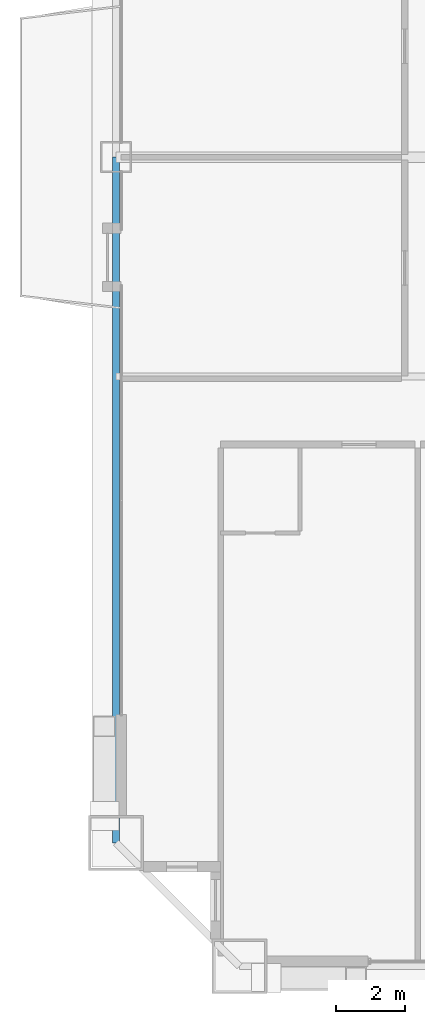
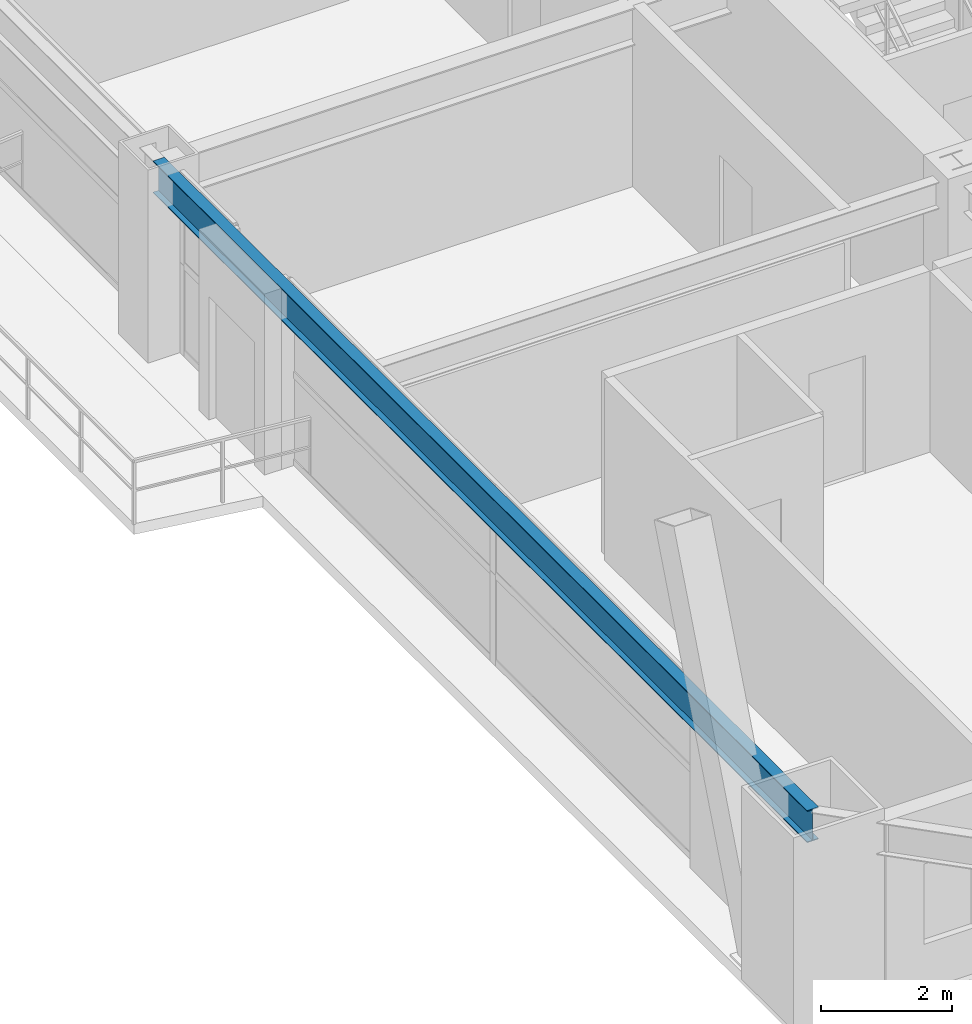
# One storey, part 7 of 42: 1 beam.
"""IFC4 building model written with IfcOpenShell, lengths in metres."""

from ifc_helpers import new_model, si_unit, direction, frame, origin, origin_2d, place, context, subcontext, project, spatial, i_section, extrude, source, transform, mapped, material, material_profile, profile_set, type_object, element, save


model = new_model("IFC4")

# Units and contexts
model_context = context("Model", 3, precision=1e-05, world=origin(), true_north=direction((0.0, 1.0)))
body_context = subcontext(model_context, "Body", "Model", "MODEL_VIEW")
ifc_project = project(units=[si_unit("LENGTHUNIT", "METRE"), si_unit("AREAUNIT", "SQUARE_METRE"), si_unit("VOLUMEUNIT", "CUBIC_METRE"), si_unit("PLANEANGLEUNIT", "RADIAN"), si_unit("MASSUNIT", "GRAM", prefix="KILO"), si_unit("THERMODYNAMICTEMPERATUREUNIT", "KELVIN"), si_unit("POWERUNIT", "WATT")], contexts=[model_context])

# Site, building, storey
site_placement = place(None, origin())
site = spatial("IfcSite", under=ifc_project, at=site_placement, CompositionType="ELEMENT")
building_placement = place(site_placement, origin())
building = spatial("IfcBuilding", under=site, at=building_placement, Name="Yuzanri Waterfront Tower", CompositionType="ELEMENT")
storey_placement = place(building_placement, frame((0.0, 0.0, 145.199951171875)))
storey = spatial("IfcBuildingStorey", under=building, at=storey_placement, Name="L38", CompositionType="ELEMENT", Elevation=145.199951171875)

# Beam
ifc_material = material(Name="Steel Q355B", Category="steel")
ifc_material_profile = material_profile(ifc_material, i_section(OverallWidth=0.199951171875, OverallDepth=0.60009765625, WebThickness=0.010986328125, FlangeThickness=0.01708984375, at=origin_2d()), Name="HN 600x200x11x17")
ifc_profile_set = profile_set([ifc_material_profile], Name="Steel Q355B")
beam_type = type_object("IfcBeamType", Name="Perimeter Spandrel Q355B HN 600x200", PredefinedType="SPANDREL", material=ifc_profile_set)
shared_shape = source(origin(), body_context, "Body", "SweptSolid", [
    extrude(i_section(OverallWidth=0.199951171875, OverallDepth=0.60009765625, WebThickness=0.010986328125, FlangeThickness=0.01708984375, at=origin_2d()), origin(), (0.0, 0.0, 1.0), 20.0),
])
beam_placement = place(storey_placement, frame((13.39990234375, 25.800048828125, 3.080078125), z_axis=(0.0, -1.0, 0.0), x_axis=(1.0, 0.0, 0.0)))
element("IfcBeam", 1, at=beam_placement, inside=storey, type_object=beam_type, Name="L38 Perimeter Spandrel W2-W1", PredefinedType="SPANDREL", context=body_context, shape_type="MappedRepresentation", body=[
    mapped(shared_shape, transform((0.0, 0.0, 0.0), scale=1.0)),
])

save(model, "model.ifc")
